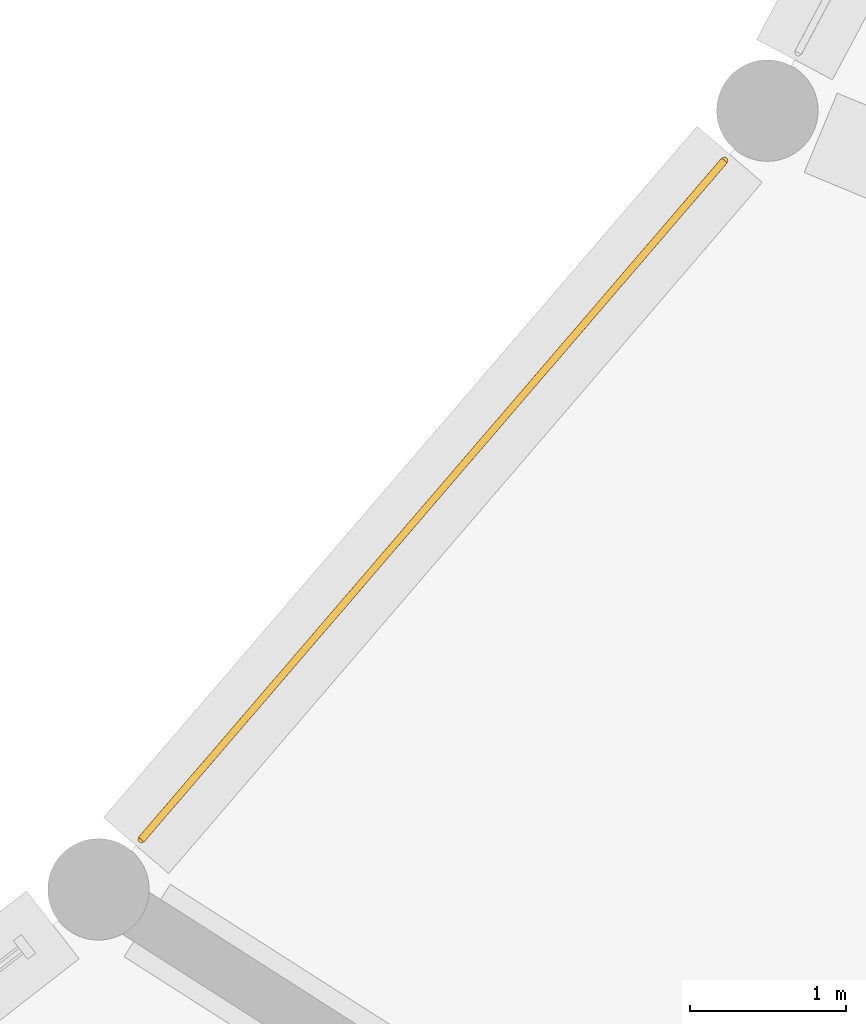
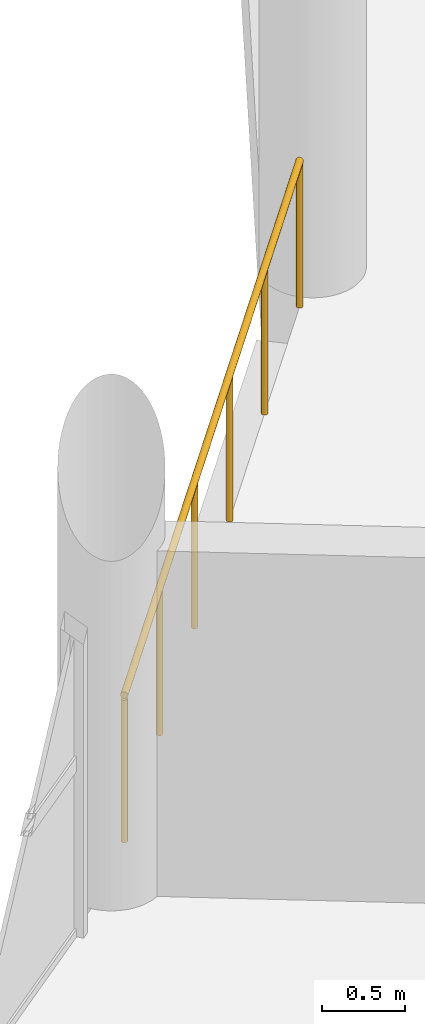
# One storey, part 126 of 142: 1 railing.
"""IFC4 building model written with IfcOpenShell, lengths in metres."""

from ifc_helpers import new_model, si_unit, direction, frame, origin, origin_2d, place, context, subcontext, project, spatial, circle, extrude, material, layer, layer_set, type_object, element, save


model = new_model("IFC4")

# Units and contexts
model_context = context("Model", 3, precision=1e-05, world=origin(), true_north=direction((0.0, 1.0)))
body_context = subcontext(model_context, "Body", "Model", "MODEL_VIEW")
ifc_project = project(units=[si_unit("LENGTHUNIT", "METRE"), si_unit("AREAUNIT", "SQUARE_METRE"), si_unit("VOLUMEUNIT", "CUBIC_METRE"), si_unit("PLANEANGLEUNIT", "RADIAN"), si_unit("MASSUNIT", "GRAM", prefix="KILO")], contexts=[model_context])

# Site, building, storey
site_placement = place(None, origin())
site = spatial("IfcSite", under=ifc_project, at=site_placement, CompositionType="ELEMENT")
building_placement = place(site_placement, origin())
building = spatial("IfcBuilding", under=site, at=building_placement, Name="Corvandel Quay Wholesale Market", CompositionType="ELEMENT")
storey_placement = place(building_placement, frame((0.0, 0.0, 10.800048828125)))
storey = spatial("IfcBuildingStorey", under=building, at=storey_placement, Name="L02", CompositionType="ELEMENT", Elevation=10.800048828125)

# Railing
ifc_material = material(Name="Hot-dip galvanised painted steel", Category="steel")
ifc_layer = layer(ifc_material, 0.06005859375)
ifc_layer_set = layer_set([ifc_layer], Name="Hot-dip galvanised painted steel")
railing_type = type_object("IfcRailingType", Name="Galvanised Steel Guard Balustrade GR01 1100mm", PredefinedType="BALUSTRADE", material=ifc_layer_set)
railing_placement = place(storey_placement, frame((144.68408203125, 22.907958984375, 0.0)))
element("IfcRailing", 1, at=railing_placement, inside=storey, type_object=railing_type, Name="Terrace Inner Guard GR-0005", PredefinedType="BALUSTRADE", context=body_context, shape_type="SweptSolid", body=[
    extrude(circle(Radius=0.02392578125, at=origin_2d()), frame((0.0, 0.0, 1.076171875), z_axis=(0.651513385389, 0.758637138993, 0.0), x_axis=(-0.758637138993, 0.651513385389, 0.0)), (0.0, 0.0, 1.0), 5.734130859375),
    extrude(circle(Radius=0.02099609375, at=origin_2d()), origin(), (0.0, 0.0, 1.0), 1.052001953125),
    extrude(circle(Radius=0.02099609375, at=origin_2d()), frame((0.7470703125, 0.8701171875, 0.0)), (0.0, 0.0, 1.0), 1.052001953125),
    extrude(circle(Radius=0.02099609375, at=origin_2d()), frame((1.494384765625, 1.739990234375, 0.0)), (0.0, 0.0, 1.0), 1.052001953125),
    extrude(circle(Radius=0.02099609375, at=origin_2d()), frame((2.241455078125, 2.610107421875, 0.0)), (0.0, 0.0, 1.0), 1.052001953125),
    extrude(circle(Radius=0.02099609375, at=origin_2d()), frame((2.98876953125, 3.47998046875, 0.0)), (0.0, 0.0, 1.0), 1.052001953125),
    extrude(circle(Radius=0.02099609375, at=origin_2d()), frame((3.73583984375, 4.35009765625, 0.0)), (0.0, 0.0, 1.0), 1.052001953125),
])

save(model, "model.ifc")
